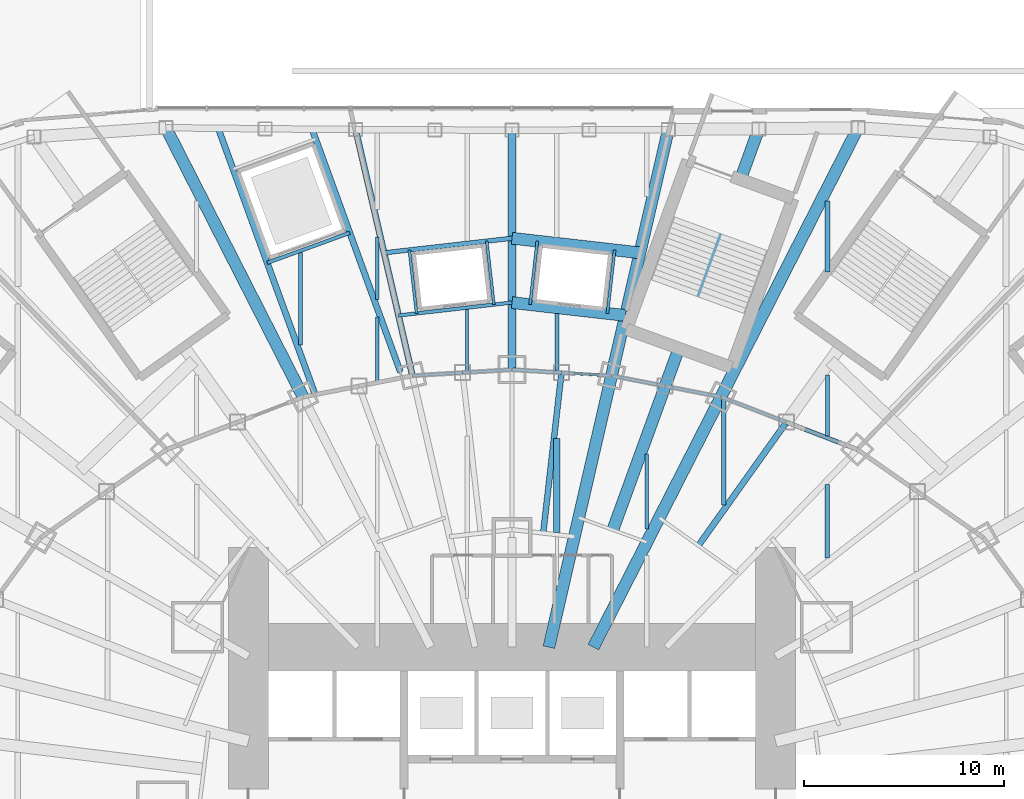
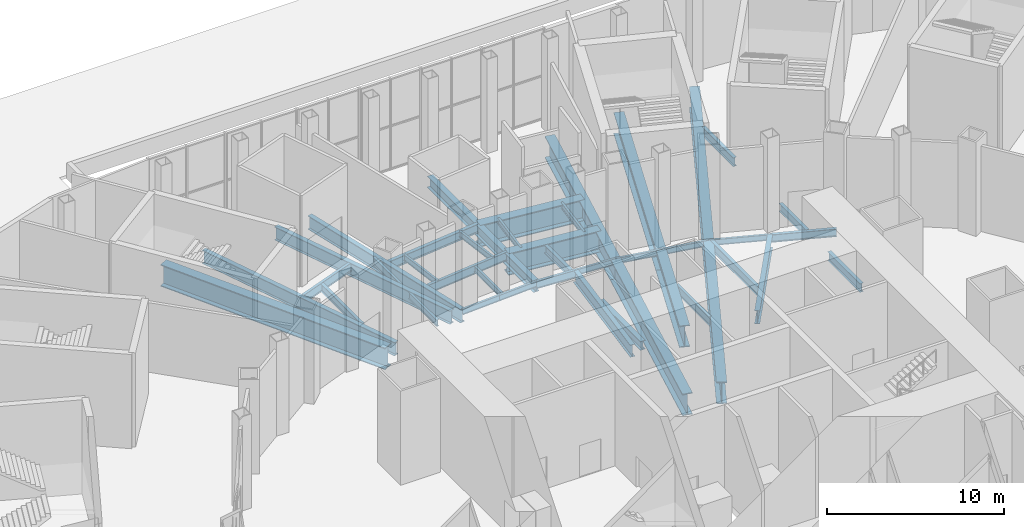
# One storey, part 7 of 47: 41 beams.
"""IFC4 building model written with IfcOpenShell, lengths in metres."""

import ifcopenshell
import ifcopenshell.guid

model = None  # the IFC model being written
_history = None  # IfcOwnerHistory: only IFC2X3 demands one
_inside = {}  # id of a spatial element -> (the spatial element, [elements in it])
_under = {}  # id of a project, library or spatial element -> (it, [spatial elements below it])
_declared = {}  # id of a project -> (the project, [libraries it declares])
_typed = {}  # id of a type object -> (the type object, [elements of that type])
_made_of = {}  # id of a material, layer set ... -> (it, [elements and type objects made of it])


def new_model(schema):
    """Start an empty IFC model of exactly this schema.

    Asked for "IFC4X3", IfcOpenShell would pick the latest addendum, in which some entities
    have other attributes; the version numbers below select the first issue.
    IFC2X3 requires an IfcOwnerHistory on every rooted entity: one is made here for all.
    """
    global model, _history
    if schema == "IFC4X3":
        model = ifcopenshell.file(schema_version=(4, 3, 0, 0))
    else:
        model = ifcopenshell.file(schema=schema)
    _inside.clear()
    _under.clear()
    _declared.clear()
    _typed.clear()
    _made_of.clear()
    _history = None
    if model.schema == "IFC2X3":
        org = make("IfcOrganization", Name="unknown")
        user = make(
            "IfcPersonAndOrganization",
            ThePerson=make("IfcPerson", FamilyName="unknown"),
            TheOrganization=org,
        )
        app = make(
            "IfcApplication",
            ApplicationDeveloper=org,
            Version="unknown",
            ApplicationFullName="unknown",
            ApplicationIdentifier="unknown",
        )
        _history = make(
            "IfcOwnerHistory",
            OwningUser=user,
            OwningApplication=app,
            ChangeAction="ADDED",
            CreationDate=0,
        )
    return model


def make(cls, **values):
    """One entity of the class cls with the attributes given. An attribute that is None is left unset."""
    return model.create_entity(
        cls, **{name: value for name, value in values.items() if value is not None}
    )


def rooted(cls, **values):
    """An entity with a GlobalId (a new one), such as an element, a storey or a relation."""
    return make(cls, GlobalId=ifcopenshell.guid.new(), OwnerHistory=_history, **values)


def si_unit(unit_type, name, prefix=None):
    """IfcSIUnit, for example si_unit("LENGTHUNIT", "METRE", prefix="MILLI")."""
    return make("IfcSIUnit", UnitType=unit_type, Prefix=prefix, Name=name)


def assignment(units):
    """IfcUnitAssignment: the units of a project."""
    return None if units is None else make("IfcUnitAssignment", Units=units)


def point(xyz):
    """IfcCartesianPoint."""
    return None if xyz is None else make("IfcCartesianPoint", Coordinates=xyz)


def direction(xyz):
    """IfcDirection."""
    return None if xyz is None else make("IfcDirection", DirectionRatios=xyz)


def frame(location, z_axis=None, x_axis=None):
    """IfcAxis2Placement3D, a coordinate frame: its origin and axes. An axis left out is left unset."""
    return make(
        "IfcAxis2Placement3D",
        Location=point(location),
        Axis=direction(z_axis),
        RefDirection=direction(x_axis),
    )


def frame_2d(location, x_axis=None):
    """IfcAxis2Placement2D, a coordinate frame in the plane: its origin and x axis."""
    return make(
        "IfcAxis2Placement2D", Location=point(location), RefDirection=direction(x_axis)
    )


def origin():
    """The frame at (0, 0, 0) with its axes left unset."""
    return frame((0.0, 0.0, 0.0))


def origin_2d():
    """The frame at (0, 0) in the plane with its x axis left unset."""
    return frame_2d((0.0, 0.0))


def place(relative_to, where):
    """IfcLocalPlacement: puts the frame where relative to a parent placement (None: the world)."""
    return make(
        "IfcLocalPlacement", PlacementRelTo=relative_to, RelativePlacement=where
    )


def context(
    kind, dimensions, precision=None, world=None, true_north=None, identifier=None
):
    """IfcGeometricRepresentationContext, for example the 3D "Model" context."""
    return make(
        "IfcGeometricRepresentationContext",
        ContextIdentifier=identifier,
        ContextType=kind,
        CoordinateSpaceDimension=dimensions,
        Precision=precision,
        WorldCoordinateSystem=world,
        TrueNorth=true_north,
    )


def subcontext(parent, identifier, kind, view, scale=None):
    """IfcGeometricRepresentationSubContext, for example "Body" below "Model"."""
    return make(
        "IfcGeometricRepresentationSubContext",
        ContextIdentifier=identifier,
        ContextType=kind,
        ParentContext=parent,
        TargetScale=scale,
        TargetView=view,
    )


def project(units=None, contexts=None):
    """IfcProject with its units and contexts."""
    return rooted(
        "IfcProject",
        Name="project",
        RepresentationContexts=contexts,
        UnitsInContext=assignment(units),
    )


def spatial(cls, under=None, at=None, **own):
    """A site, building, storey or space (cls), placed at a placement, below another one or the project."""
    s = rooted(cls, ObjectPlacement=at, **own)
    if under is not None:
        _under.setdefault(under.id(), (under, []))[1].append(s)
    return s


def profile(cls, at=None, kind="AREA", **sizes):
    """A parametric profile (cls). Its sizes go by their IFC names, for example OverallWidth=200.0."""
    return make(cls, ProfileType=kind, Position=at, **sizes)


def i_section(**sizes):
    """IfcIShapeProfileDef."""
    return profile("IfcIShapeProfileDef", **sizes)


def extrude(swept, where, along, depth):
    """IfcExtrudedAreaSolid: the profile swept, set in the frame where, extruded along a direction by depth."""
    return make(
        "IfcExtrudedAreaSolid",
        SweptArea=swept,
        Position=where,
        ExtrudedDirection=direction(along),
        Depth=depth,
    )


def shape(context_of_items, identifier, shape_type, items):
    """IfcShapeRepresentation: the items that make up one representation, for example the "Body"."""
    return make(
        "IfcShapeRepresentation",
        ContextOfItems=context_of_items,
        RepresentationIdentifier=identifier,
        RepresentationType=shape_type,
        Items=items,
    )


def material(Name=None, Category=None):
    """IfcMaterial."""
    return make("IfcMaterial", Name=Name, Category=Category)


def material_profile(
    of_material, cross_section, Name=None, Category=None, Priority=None
):
    """IfcMaterialProfile: a cross section and its material."""
    return make(
        "IfcMaterialProfile",
        Name=Name,
        Material=of_material,
        Profile=cross_section,
        Priority=Priority,
        Category=Category,
    )


def profile_set(profiles, Name=None, composite=None):
    """IfcMaterialProfileSet."""
    return make(
        "IfcMaterialProfileSet",
        Name=Name,
        MaterialProfiles=profiles,
        CompositeProfile=composite,
    )


def made_of(thing, what):
    """Note that an element or type object is made of a material, layer set ...; save() writes the relation."""
    if what is not None:
        _made_of.setdefault(what.id(), (what, []))[1].append(thing)
    return thing


def type_object(cls, material=None, **own):
    """A type object (cls), such as IfcWallType, which elements share."""
    return made_of(rooted(cls, **own), material)


def element(
    cls,
    number,
    at=None,
    inside=None,
    cuts=None,
    type_object=None,
    material=None,
    context=None,
    identifier="Body",
    shape_type=None,
    held_by="IfcProductDefinitionShape",
    body=None,
    shapes=None,
    **own,
):
    """One element of the class cls, such as IfcWall. Its Tag is "e" and its number.

    at: its placement. inside: the storey or other place that contains it. cuts: it is an
    opening in that element (IfcRelVoidsElement). A single representation is given by context,
    identifier, shape_type and body (its items); several are given by shapes. held_by: the class
    of the entity that holds the representations. save() writes the other relations.
    """
    e = rooted(cls, Tag="e%d" % number, ObjectPlacement=at, **own)
    if body is not None:
        shapes = [shape(context, identifier, shape_type, body)]
    if shapes is not None:
        e.Representation = make(held_by, Representations=shapes)
    if inside is not None:
        _inside.setdefault(inside.id(), (inside, []))[1].append(e)
    if cuts is not None:
        rooted(
            "IfcRelVoidsElement", RelatingBuildingElement=cuts, RelatedOpeningElement=e
        )
    if type_object is not None:
        _typed.setdefault(type_object.id(), (type_object, []))[1].append(e)
    return made_of(e, material)


def aggregate(whole, parts):
    """IfcRelAggregates: a whole, such as a stair, and the parts it consists of."""
    return rooted("IfcRelAggregates", RelatingObject=whole, RelatedObjects=parts)


def save(model, path):
    """Write the relations noted so far, then the file.

    IfcRelAggregates (storeys below a building ...), IfcRelContainedInSpatialStructure (elements
    in a storey), IfcRelDefinesByType, IfcRelAssociatesMaterial and IfcRelDeclares: one each for
    every whole, place, type object, material and project.
    """
    for whole, parts in _under.values():
        aggregate(whole, parts)
    for where, things in _inside.values():
        rooted(
            "IfcRelContainedInSpatialStructure",
            RelatedElements=things,
            RelatingStructure=where,
        )
    for kind, things in _typed.values():
        rooted("IfcRelDefinesByType", RelatedObjects=things, RelatingType=kind)
    for what, things in _made_of.values():
        rooted("IfcRelAssociatesMaterial", RelatedObjects=things, RelatingMaterial=what)
    for by, libraries in _declared.values():
        rooted("IfcRelDeclares", RelatingContext=by, RelatedDefinitions=libraries)
    model.write(path)


model = new_model("IFC4")

# Units and contexts
model_context = context("Model", 3, precision=1e-05, world=origin(), true_north=direction((0.0, 1.0)))
body_context = subcontext(model_context, "Body", "Model", "MODEL_VIEW")
ifc_project = project(units=[si_unit("LENGTHUNIT", "METRE"), si_unit("AREAUNIT", "SQUARE_METRE"), si_unit("VOLUMEUNIT", "CUBIC_METRE"), si_unit("PLANEANGLEUNIT", "RADIAN"), si_unit("MASSUNIT", "GRAM", prefix="KILO")], contexts=[model_context])

# Site, building, storey
site_placement = place(None, origin())
site = spatial("IfcSite", under=ifc_project, at=site_placement, CompositionType="ELEMENT")
building_placement = place(site_placement, origin())
building = spatial("IfcBuilding", under=site, at=building_placement, Name="Lantaw Convention Tower", CompositionType="ELEMENT")
storey_placement = place(building_placement, origin())
storey = spatial("IfcBuildingStorey", under=building, at=storey_placement, Name="L00", CompositionType="ELEMENT", Elevation=0.0)

# Beams
ifc_material_1 = material(Name="Steel ASTM A992", Category="steel")
ifc_material_profile_1 = material_profile(ifc_material_1, i_section(OverallWidth=0.140380859375, OverallDepth=0.40380859375, WebThickness=0.007080078125, FlangeThickness=0.01123046875, FilletRadius=0.01025390625, at=origin_2d()), Name="W16X31")
ifc_profile_set_1 = profile_set([ifc_material_profile_1], Name="Steel ASTM A992")
beam_type_1 = type_object("IfcBeamType", Name="Beam E W16X31", PredefinedType="SPANDREL", material=ifc_profile_set_1)
beam_1_placement = place(storey_placement, frame((13.745361328125, 19.270263671875, -0.65185546875), z_axis=(-0.933241815012, 0.359248820058, 0.0), x_axis=(-0.359248820058, -0.933241815012, 0.0)))
element("IfcBeam", 1, at=beam_1_placement, inside=storey, type_object=beam_type_1, Name="Edge beam 4", PredefinedType="SPANDREL", context=body_context, shape_type="SweptSolid", body=[
    extrude(i_section(OverallWidth=0.140380859375, OverallDepth=0.40380859375, WebThickness=0.007080078125, FlangeThickness=0.01123046875, FilletRadius=0.01025390625, at=origin_2d()), origin(), (0.0, 0.0, 1.0), 3.517578125),
])
beam_2_placement = place(storey_placement, frame((10.462646484375, 20.533935546875, -0.65185546875), z_axis=(-0.98163593748, 0.190763954266, 0.0), x_axis=(-0.190763954266, -0.98163593748, 0.0)))
element("IfcBeam", 2, at=beam_2_placement, inside=storey, type_object=beam_type_1, Name="Edge beam 5", PredefinedType="SPANDREL", context=body_context, shape_type="SweptSolid", body=[
    extrude(i_section(OverallWidth=0.140380859375, OverallDepth=0.40380859375, WebThickness=0.007080078125, FlangeThickness=0.01123046875, FilletRadius=0.01025390625, at=origin_2d()), origin(), (0.0, 0.0, 1.0), 2.84375),
])
beam_3_placement = place(storey_placement, frame((7.671142578125, 21.076416015625, -0.65185546875), z_axis=(-0.981637218105, 0.190757364289, 0.0), x_axis=(-0.190757364289, -0.981637218105, 0.0)))
element("IfcBeam", 3, at=beam_3_placement, inside=storey, type_object=beam_type_1, Name="Edge beam 5", PredefinedType="SPANDREL", context=body_context, shape_type="SweptSolid", body=[
    extrude(i_section(OverallWidth=0.140380859375, OverallDepth=0.40380859375, WebThickness=0.007080078125, FlangeThickness=0.01123046875, FilletRadius=0.01025390625, at=origin_2d()), origin(), (0.0, 0.0, 1.0), 2.735107421875),
])
beam_4_placement = place(storey_placement, frame((4.986328125, 21.59814453125, -0.65185546875), z_axis=(-0.998172405641, 0.060430527186, 0.0), x_axis=(-0.060430527186, -0.998172405641, 0.0)))
element("IfcBeam", 4, at=beam_4_placement, inside=storey, type_object=beam_type_1, Name="Edge beam 6", PredefinedType="SPANDREL", context=body_context, shape_type="SweptSolid", body=[
    extrude(i_section(OverallWidth=0.140380859375, OverallDepth=0.40380859375, WebThickness=0.007080078125, FlangeThickness=0.01123046875, FilletRadius=0.01025390625, at=origin_2d()), origin(), (0.0, 0.0, 1.0), 2.512939453125),
])
beam_5_placement = place(storey_placement, frame((0.0, 21.89990234375, -0.65185546875), z_axis=(-0.998175328335, -0.060382231685, 0.0), x_axis=(0.060382231685, -0.998175328335, 0.0)))
element("IfcBeam", 5, at=beam_5_placement, inside=storey, type_object=beam_type_1, Name="Edge beam 7", PredefinedType="SPANDREL", context=body_context, shape_type="SweptSolid", body=[
    extrude(i_section(OverallWidth=0.140380859375, OverallDepth=0.40380859375, WebThickness=0.007080078125, FlangeThickness=0.01123046875, FilletRadius=0.01025390625, at=origin_2d()), origin(), (0.0, 0.0, 1.0), 2.482666015625),
])
beam_6_placement = place(storey_placement, frame((-2.47802734375, 21.75, -0.65185546875), z_axis=(-0.998172405641, -0.060430527186, 0.0), x_axis=(0.060430527186, -0.998172405641, 0.0)))
element("IfcBeam", 6, at=beam_6_placement, inside=storey, type_object=beam_type_1, Name="Edge beam 7", PredefinedType="SPANDREL", context=body_context, shape_type="SweptSolid", body=[
    extrude(i_section(OverallWidth=0.140380859375, OverallDepth=0.40380859375, WebThickness=0.007080078125, FlangeThickness=0.01123046875, FilletRadius=0.01025390625, at=origin_2d()), origin(), (0.0, 0.0, 1.0), 2.512939453125),
])
ifc_material_profile_2 = material_profile(ifc_material_1, i_section(OverallWidth=0.165771484375, OverallDepth=0.5283203125, WebThickness=0.009765625, FlangeThickness=0.013671875, FilletRadius=0.012939453125, at=origin_2d()), Name="W21X50")
ifc_profile_set_2 = profile_set([ifc_material_profile_2], Name="Steel ASTM A992")
beam_type_2 = type_object("IfcBeamType", Name="Beam E W21X50", PredefinedType="SPANDREL", material=ifc_profile_set_2)
beam_7_placement = place(storey_placement, frame((2.47802734375, 21.75, -0.714111328125), z_axis=(-0.998175328335, 0.060382231685, 0.0), x_axis=(-0.060382231685, -0.998175328335, 0.0)))
element("IfcBeam", 7, at=beam_7_placement, inside=storey, type_object=beam_type_2, Name="Edge beam 6", PredefinedType="SPANDREL", context=body_context, shape_type="SweptSolid", body=[
    extrude(i_section(OverallWidth=0.165771484375, OverallDepth=0.5283203125, WebThickness=0.009765625, FlangeThickness=0.013671875, FilletRadius=0.012939453125, at=origin_2d()), origin(), (0.0, 0.0, 1.0), 2.482666015625),
])
ifc_material_profile_3 = material_profile(ifc_material_1, i_section(OverallWidth=0.2099609375, OverallDepth=0.535888671875, WebThickness=0.010986328125, FlangeThickness=0.017333984375, FilletRadius=0.012939453125, at=origin_2d()), Name="W21X68")
ifc_profile_set_3 = profile_set([ifc_material_profile_3], Name="Steel ASTM A992")
beam_type_3 = type_object("IfcBeamType", Name="Beam E W21X68", PredefinedType="SPANDREL", material=ifc_profile_set_3)
beam_8_placement = place(storey_placement, frame((17.290771484375, 17.9052734375, -0.718017578125), z_axis=(-0.933224646415, 0.359293416754, 0.0), x_axis=(-0.359293416754, -0.933224646415, 0.0)))
element("IfcBeam", 8, at=beam_8_placement, inside=storey, type_object=beam_type_3, Name="Edge beam 4", PredefinedType="SPANDREL", context=body_context, shape_type="SweptSolid", body=[
    extrude(i_section(OverallWidth=0.2099609375, OverallDepth=0.535888671875, WebThickness=0.010986328125, FlangeThickness=0.017333984375, FilletRadius=0.012939453125, at=origin_2d()), origin(), (0.0, 0.0, 1.0), 3.799072265625),
])
ifc_material_2 = material(Name="Steel ASTM A572 Grade 50", Category="steel")
ifc_material_profile_4 = material_profile(ifc_material_2, i_section(OverallWidth=0.60009765625, OverallDepth=1.5, WebThickness=0.02490234375, FlangeThickness=0.06005859375, at=origin_2d()), Name="PG1500X600X25X60")
ifc_profile_set_4 = profile_set([ifc_material_profile_4], Name="Steel ASTM A572 Grade 50")
beam_type_4 = type_object("IfcBeamType", Name="Beam G PG1500X600X25X60", PredefinedType="BEAM", material=ifc_profile_set_4)
beam_9_placement = place(storey_placement, frame((4.076171875, 8.0, -1.199951171875), z_axis=(0.453997016122, 0.891003203896, 0.0), x_axis=(-0.891003203896, 0.453997016122, 0.0)))
element("IfcBeam", 9, at=beam_9_placement, inside=storey, type_object=beam_type_4, Name="Floor girder on ray 5", PredefinedType="BEAM", context=body_context, shape_type="SweptSolid", body=[
    extrude(i_section(OverallWidth=0.60009765625, OverallDepth=1.5, WebThickness=0.02490234375, FlangeThickness=0.06005859375, at=origin_2d()), origin(), (0.0, 0.0, 1.0), 14.067138671875),
])
beam_10_placement = place(storey_placement, frame((5.04931640625, 13.873046875, -1.199951171875), z_axis=(0.342021781151, 0.939692024664, 0.0), x_axis=(-0.939692024664, 0.342021781151, 0.0)))
element("IfcBeam", 10, at=beam_10_placement, inside=storey, type_object=beam_type_4, Name="Floor girder on bisector 5", PredefinedType="BEAM", context=body_context, shape_type="SweptSolid", body=[
    extrude(i_section(OverallWidth=0.60009765625, OverallDepth=1.5, WebThickness=0.02490234375, FlangeThickness=0.06005859375, at=origin_2d()), origin(), (0.0, 0.0, 1.0), 7.665771484375),
])
beam_11_placement = place(storey_placement, frame((1.846923828125, 8.0, -1.199951171875), z_axis=(0.224952773175, 0.97436966796, 0.0), x_axis=(-0.97436966796, 0.224952773175, 0.0)))
element("IfcBeam", 11, at=beam_11_placement, inside=storey, type_object=beam_type_4, Name="Floor girder on ray 6", PredefinedType="BEAM", context=body_context, shape_type="SweptSolid", body=[
    extrude(i_section(OverallWidth=0.60009765625, OverallDepth=1.5, WebThickness=0.02490234375, FlangeThickness=0.06005859375, at=origin_2d()), origin(), (0.0, 0.0, 1.0), 13.955810546875),
])
ifc_material_profile_5 = material_profile(ifc_material_1, i_section(OverallWidth=0.2919921875, OverallDepth=0.845703125, WebThickness=0.015380859375, FlangeThickness=0.0244140625, FilletRadius=0.01513671875, at=origin_2d()), Name="W33X141")
ifc_profile_set_5 = profile_set([ifc_material_profile_5], Name="Steel ASTM A992")
beam_type_5 = type_object("IfcBeamType", Name="Beam G W33X141", PredefinedType="BEAM", material=ifc_profile_set_5)
beam_12_placement = place(storey_placement, frame((1.5625, 13.713134765625, -0.872802734375), z_axis=(0.113183957156, 0.993574049501, 0.0), x_axis=(-0.993574049501, 0.113183957156, 0.0)))
element("IfcBeam", 12, at=beam_12_placement, inside=storey, type_object=beam_type_5, Name="Floor girder on bisector 6", PredefinedType="BEAM", context=body_context, shape_type="SweptSolid", body=[
    extrude(i_section(OverallWidth=0.2919921875, OverallDepth=0.845703125, WebThickness=0.015380859375, FlangeThickness=0.0244140625, FilletRadius=0.01513671875, at=origin_2d()), origin(), (0.0, 0.0, 1.0), 8.0888671875),
])
ifc_material_profile_6 = material_profile(ifc_material_1, i_section(OverallWidth=0.307373046875, OverallDepth=0.922119140625, WebThickness=0.018310546875, FlangeThickness=0.030029296875, FilletRadius=0.0126953125, at=origin_2d()), Name="W36X182")
ifc_profile_set_6 = profile_set([ifc_material_profile_6], Name="Steel ASTM A992")
beam_type_6 = type_object("IfcBeamType", Name="Beam G W36X182", PredefinedType="BEAM", material=ifc_profile_set_6)
beam_13_placement = place(storey_placement, frame((9.335693359375, 13.088134765625, -0.910888671875), z_axis=(0.580702805158, 0.814115625745, 0.0), x_axis=(-0.814115625745, 0.580702805158, 0.0)))
element("IfcBeam", 13, at=beam_13_placement, inside=storey, type_object=beam_type_6, Name="Floor girder on bisector 4", PredefinedType="BEAM", context=body_context, shape_type="SweptSolid", body=[
    extrude(i_section(OverallWidth=0.307373046875, OverallDepth=0.922119140625, WebThickness=0.018310546875, FlangeThickness=0.030029296875, FilletRadius=0.0126953125, at=origin_2d()), origin(), (0.0, 0.0, 1.0), 7.59375),
])
ifc_material_profile_7 = material_profile(ifc_material_1, i_section(OverallWidth=0.140380859375, OverallDepth=0.40380859375, WebThickness=0.007080078125, FlangeThickness=0.01123046875, FilletRadius=0.01025390625, at=origin_2d()), Name="W16X31")
ifc_profile_set_7 = profile_set([ifc_material_profile_7], Name="Steel ASTM A992")
beam_type_7 = type_object("IfcBeamType", Name="Beam J W16X31", PredefinedType="JOIST", material=ifc_profile_set_7)
beam_14_placement = place(storey_placement, frame((-2.25, 21.833984375, -0.65185546875), z_axis=(0.0, 1.0, 0.0), x_axis=(-1.0, 0.0, 0.0)))
element("IfcBeam", 14, at=beam_14_placement, inside=storey, type_object=beam_type_7, Name="Floor joist", PredefinedType="JOIST", context=body_context, shape_type="SweptSolid", body=[
    extrude(i_section(OverallWidth=0.140380859375, OverallDepth=0.40380859375, WebThickness=0.007080078125, FlangeThickness=0.01123046875, FilletRadius=0.01025390625, at=origin_2d()), origin(), (0.0, 0.0, 1.0), 3.08251953125),
])
ifc_material_profile_8 = material_profile(ifc_material_1, i_section(OverallWidth=0.15234375, OverallDepth=0.449462890625, WebThickness=0.007568359375, FlangeThickness=0.0107421875, FilletRadius=0.01025390625, at=origin_2d()), Name="W18X35")
ifc_profile_set_8 = profile_set([ifc_material_profile_8], Name="Steel ASTM A992")
beam_type_8 = type_object("IfcBeamType", Name="Beam J W18X35", PredefinedType="JOIST", material=ifc_profile_set_8)
beam_15_placement = place(storey_placement, frame((-6.75, 21.33935546875, -0.6748046875), z_axis=(0.0, 1.0, 0.0), x_axis=(-1.0, 0.0, 0.0)))
element("IfcBeam", 15, at=beam_15_placement, inside=storey, type_object=beam_type_8, Name="Floor joist", PredefinedType="JOIST", context=body_context, shape_type="SweptSolid", body=[
    extrude(i_section(OverallWidth=0.15234375, OverallDepth=0.449462890625, WebThickness=0.007568359375, FlangeThickness=0.0107421875, FilletRadius=0.01025390625, at=origin_2d()), origin(), (0.0, 0.0, 1.0), 3.189208984375),
])
ifc_material_profile_9 = material_profile(ifc_material_1, i_section(OverallWidth=0.1650390625, OverallDepth=0.52587890625, WebThickness=0.0087890625, FlangeThickness=0.011474609375, FilletRadius=0.0126953125, at=origin_2d()), Name="W21X44")
ifc_profile_set_9 = profile_set([ifc_material_profile_9], Name="Steel ASTM A992")
beam_type_9 = type_object("IfcBeamType", Name="Beam J W21X44", PredefinedType="JOIST", material=ifc_profile_set_9)
beam_16_placement = place(storey_placement, frame((-6.75, 25.42724609375, -0.712890625), z_axis=(0.0, 1.0, 0.0), x_axis=(-1.0, 0.0, 0.0)))
element("IfcBeam", 16, at=beam_16_placement, inside=storey, type_object=beam_type_9, Name="Floor joist", PredefinedType="JOIST", context=body_context, shape_type="SweptSolid", body=[
    extrude(i_section(OverallWidth=0.1650390625, OverallDepth=0.52587890625, WebThickness=0.0087890625, FlangeThickness=0.011474609375, FilletRadius=0.0126953125, at=origin_2d()), origin(), (0.0, 0.0, 1.0), 3.127197265625),
])
ifc_material_profile_10 = material_profile(ifc_material_1, i_section(OverallWidth=0.2099609375, OverallDepth=0.535888671875, WebThickness=0.010986328125, FlangeThickness=0.017333984375, FilletRadius=0.012939453125, at=origin_2d()), Name="W21X68")
ifc_profile_set_10 = profile_set([ifc_material_profile_10], Name="Steel ASTM A992")
beam_type_10 = type_object("IfcBeamType", Name="Beam J W21X68", PredefinedType="JOIST", material=ifc_profile_set_10)
beam_17_placement = place(storey_placement, frame((-10.60009765625, 23.14013671875, -0.718017578125), z_axis=(0.0, 1.0, 0.0), x_axis=(-1.0, 0.0, 0.0)))
element("IfcBeam", 17, at=beam_17_placement, inside=storey, type_object=beam_type_10, Name="Floor joist", PredefinedType="JOIST", context=body_context, shape_type="SweptSolid", body=[
    extrude(i_section(OverallWidth=0.2099609375, OverallDepth=0.535888671875, WebThickness=0.010986328125, FlangeThickness=0.017333984375, FilletRadius=0.012939453125, at=origin_2d()), origin(), (0.0, 0.0, 1.0), 4.61962890625),
])
beam_18_placement = place(storey_placement, frame((2.25, 21.846923828125, -0.718017578125), z_axis=(0.0, 1.0, 0.0), x_axis=(-1.0, 0.0, 0.0)))
element("IfcBeam", 18, at=beam_18_placement, inside=storey, type_object=beam_type_10, Name="Floor joist", PredefinedType="JOIST", context=body_context, shape_type="SweptSolid", body=[
    extrude(i_section(OverallWidth=0.2099609375, OverallDepth=0.535888671875, WebThickness=0.010986328125, FlangeThickness=0.017333984375, FilletRadius=0.012939453125, at=origin_2d()), origin(), (0.0, 0.0, 1.0), 2.857177734375),
])
beam_19_placement = place(storey_placement, frame((15.800048828125, 18.591552734375, -0.718017578125), z_axis=(0.0, 1.0, 0.0), x_axis=(-1.0, 0.0, 0.0)))
element("IfcBeam", 19, at=beam_19_placement, inside=storey, type_object=beam_type_10, Name="Floor joist", PredefinedType="JOIST", context=body_context, shape_type="SweptSolid", body=[
    extrude(i_section(OverallWidth=0.2099609375, OverallDepth=0.535888671875, WebThickness=0.010986328125, FlangeThickness=0.017333984375, FilletRadius=0.012939453125, at=origin_2d()), origin(), (0.0, 0.0, 1.0), 3.042724609375),
])
ifc_material_profile_11 = material_profile(ifc_material_1, i_section(OverallWidth=0.3251953125, OverallDepth=0.612060546875, WebThickness=0.0126953125, FlangeThickness=0.01904296875, FilletRadius=0.0126953125, at=origin_2d()), Name="W24X104")
ifc_profile_set_11 = profile_set([ifc_material_profile_11], Name="Steel ASTM A992")
beam_type_11 = type_object("IfcBeamType", Name="Beam J W24X104", PredefinedType="JOIST", material=ifc_profile_set_11)
beam_20_placement = place(storey_placement, frame((2.25, 13.740478515625, -0.756103515625), z_axis=(0.0, 1.0, 0.0), x_axis=(-1.0, 0.0, 0.0)))
element("IfcBeam", 20, at=beam_20_placement, inside=storey, type_object=beam_type_11, Name="Floor joist", PredefinedType="JOIST", context=body_context, shape_type="SweptSolid", body=[
    extrude(i_section(OverallWidth=0.3251953125, OverallDepth=0.612060546875, WebThickness=0.0126953125, FlangeThickness=0.01904296875, FilletRadius=0.0126953125, at=origin_2d()), origin(), (0.0, 0.0, 1.0), 4.71728515625),
])
ifc_material_profile_12 = material_profile(ifc_material_1, i_section(OverallWidth=0.177978515625, OverallDepth=0.599365234375, WebThickness=0.010009765625, FlangeThickness=0.012939453125, FilletRadius=0.012939453125, at=origin_2d()), Name="W24X55")
ifc_profile_set_12 = profile_set([ifc_material_profile_12], Name="Steel ASTM A992")
beam_type_12 = type_object("IfcBeamType", Name="Beam J W24X55", PredefinedType="JOIST", material=ifc_profile_set_12)
beam_21_placement = place(storey_placement, frame((6.75, 13.914794921875, -0.749755859375), z_axis=(0.0, 1.0, 0.0), x_axis=(-1.0, 0.0, 0.0)))
element("IfcBeam", 21, at=beam_21_placement, inside=storey, type_object=beam_type_12, Name="Floor joist", PredefinedType="JOIST", context=body_context, shape_type="SweptSolid", body=[
    extrude(i_section(OverallWidth=0.177978515625, OverallDepth=0.599365234375, WebThickness=0.010009765625, FlangeThickness=0.012939453125, FilletRadius=0.012939453125, at=origin_2d()), origin(), (0.0, 0.0, 1.0), 3.75341796875),
])
ifc_material_profile_13 = material_profile(ifc_material_1, i_section(OverallWidth=0.227783203125, OverallDepth=0.60205078125, WebThickness=0.010498046875, FlangeThickness=0.014892578125, FilletRadius=0.012939453125, at=origin_2d()), Name="W24X68")
ifc_profile_set_13 = profile_set([ifc_material_profile_13], Name="Steel ASTM A992")
beam_type_13 = type_object("IfcBeamType", Name="Beam J W24X68", PredefinedType="JOIST", material=ifc_profile_set_13)
beam_22_placement = place(storey_placement, frame((10.60009765625, 15.125244140625, -0.7509765625), z_axis=(0.0, 1.0, 0.0), x_axis=(-1.0, 0.0, 0.0)))
element("IfcBeam", 22, at=beam_22_placement, inside=storey, type_object=beam_type_13, Name="Floor joist", PredefinedType="JOIST", context=body_context, shape_type="SweptSolid", body=[
    extrude(i_section(OverallWidth=0.227783203125, OverallDepth=0.60205078125, WebThickness=0.010498046875, FlangeThickness=0.014892578125, FilletRadius=0.012939453125, at=origin_2d()), origin(), (0.0, 0.0, 1.0), 5.280517578125),
])
beam_23_placement = place(storey_placement, frame((15.800048828125, 12.472900390625, -0.7509765625), z_axis=(0.0, 1.0, 0.0), x_axis=(-1.0, 0.0, 0.0)))
element("IfcBeam", 23, at=beam_23_placement, inside=storey, type_object=beam_type_13, Name="Floor joist", PredefinedType="JOIST", context=body_context, shape_type="SweptSolid", body=[
    extrude(i_section(OverallWidth=0.227783203125, OverallDepth=0.60205078125, WebThickness=0.010498046875, FlangeThickness=0.014892578125, FilletRadius=0.012939453125, at=origin_2d()), origin(), (0.0, 0.0, 1.0), 3.667236328125),
])
ifc_material_profile_14 = material_profile(ifc_material_1, i_section(OverallWidth=0.22900390625, OverallDepth=0.612060546875, WebThickness=0.011962890625, FlangeThickness=0.01953125, FilletRadius=0.0126953125, at=origin_2d()), Name="W24X84")
ifc_profile_set_14 = profile_set([ifc_material_profile_14], Name="Steel ASTM A992")
beam_type_14 = type_object("IfcBeamType", Name="Beam J W24X84", PredefinedType="JOIST", material=ifc_profile_set_14)
beam_24_placement = place(storey_placement, frame((15.800048828125, 26.80029296875, -0.756103515625), z_axis=(0.0, 1.0, 0.0), x_axis=(-1.0, 0.0, 0.0)))
element("IfcBeam", 24, at=beam_24_placement, inside=storey, type_object=beam_type_14, Name="Floor joist", PredefinedType="JOIST", context=body_context, shape_type="SweptSolid", body=[
    extrude(i_section(OverallWidth=0.22900390625, OverallDepth=0.612060546875, WebThickness=0.011962890625, FlangeThickness=0.01953125, FilletRadius=0.0126953125, at=origin_2d()), origin(), (0.0, 0.0, 1.0), 3.548095703125),
])
ifc_material_profile_15 = material_profile(ifc_material_2, i_section(OverallWidth=0.60009765625, OverallDepth=1.5, WebThickness=0.02490234375, FlangeThickness=0.06005859375, at=origin_2d()), Name="PG1500X600X25X60")
ifc_profile_set_15 = profile_set([ifc_material_profile_15], Name="Steel ASTM A572 Grade 50")
beam_type_15 = type_object("IfcBeamType", Name="Beam PG PG1500X600X25X60", PredefinedType="BEAM", material=ifc_profile_set_15)
beam_25_placement = place(storey_placement, frame((10.462646484375, 20.533935546875, -1.199951171875), z_axis=(0.453988364005, 0.891007612396, 0.0), x_axis=(-0.891007612396, 0.453988364005, 0.0)))
element("IfcBeam", 25, at=beam_25_placement, inside=storey, type_object=beam_type_15, Name="Podium girder PR05", PredefinedType="BEAM", context=body_context, shape_type="SweptSolid", body=[
    extrude(i_section(OverallWidth=0.60009765625, OverallDepth=1.5, WebThickness=0.02490234375, FlangeThickness=0.06005859375, at=origin_2d()), origin(), (0.0, 0.0, 1.0), 15.135498046875),
])
beam_26_placement = place(storey_placement, frame((4.986328125, 21.59814453125, -1.199951171875), z_axis=(0.224955319834, 0.974369080009, 0.0), x_axis=(-0.974369080009, 0.224955319834, 0.0)))
element("IfcBeam", 26, at=beam_26_placement, inside=storey, type_object=beam_type_15, Name="Podium girder PR06", PredefinedType="BEAM", context=body_context, shape_type="SweptSolid", body=[
    extrude(i_section(OverallWidth=0.60009765625, OverallDepth=1.5, WebThickness=0.02490234375, FlangeThickness=0.06005859375, at=origin_2d()), origin(), (0.0, 0.0, 1.0), 12.654541015625),
])
beam_27_placement = place(storey_placement, frame((-10.462646484375, 20.533935546875, -1.199951171875), z_axis=(-0.453988364005, 0.891007612396, 0.0), x_axis=(-0.891007612396, -0.453988364005, 0.0)))
element("IfcBeam", 27, at=beam_27_placement, inside=storey, type_object=beam_type_15, Name="Podium girder PR09", PredefinedType="BEAM", context=body_context, shape_type="SweptSolid", body=[
    extrude(i_section(OverallWidth=0.60009765625, OverallDepth=1.5, WebThickness=0.02490234375, FlangeThickness=0.06005859375, at=origin_2d()), origin(), (0.0, 0.0, 1.0), 15.135498046875),
])
beam_28_placement = place(storey_placement, frame((7.671142578125, 21.076416015625, -1.199951171875), z_axis=(0.342027428416, 0.939689969198, 0.0), x_axis=(-0.939689969198, 0.342027428416, 0.0)))
element("IfcBeam", 28, at=beam_28_placement, inside=storey, type_object=beam_type_15, Name="Podium girder PB05", PredefinedType="BEAM", context=body_context, shape_type="SweptSolid", body=[
    extrude(i_section(OverallWidth=0.60009765625, OverallDepth=1.5, WebThickness=0.02490234375, FlangeThickness=0.06005859375, at=origin_2d()), origin(), (0.0, 0.0, 1.0), 13.71728515625),
])
ifc_material_profile_16 = material_profile(ifc_material_1, i_section(OverallWidth=0.381103515625, OverallDepth=0.772216796875, WebThickness=0.0166015625, FlangeThickness=0.027099609375, FilletRadius=0.0146484375, at=origin_2d()), Name="W30X173")
ifc_profile_set_16 = profile_set([ifc_material_profile_16], Name="Steel ASTM A992")
beam_type_16 = type_object("IfcBeamType", Name="Beam PG W30X173", PredefinedType="BEAM", material=ifc_profile_set_16)
beam_29_placement = place(storey_placement, frame((0.0, 21.89990234375, -0.836181640625), z_axis=(0.0, 1.0, 0.0), x_axis=(-1.0, 0.0, 0.0)))
element("IfcBeam", 29, at=beam_29_placement, inside=storey, type_object=beam_type_16, Name="Podium girder PR07", PredefinedType="BEAM", context=body_context, shape_type="SweptSolid", body=[
    extrude(i_section(OverallWidth=0.381103515625, OverallDepth=0.772216796875, WebThickness=0.0166015625, FlangeThickness=0.027099609375, FilletRadius=0.0146484375, at=origin_2d()), origin(), (0.0, 0.0, 1.0), 12.0),
])
ifc_material_profile_17 = material_profile(ifc_material_1, i_section(OverallWidth=0.307373046875, OverallDepth=0.9423828125, WebThickness=0.022216796875, FlangeThickness=0.039794921875, FilletRadius=0.0126953125, at=origin_2d()), Name="W36X232")
ifc_profile_set_17 = profile_set([ifc_material_profile_17], Name="Steel ASTM A992")
beam_type_17 = type_object("IfcBeamType", Name="Beam PG W36X232", PredefinedType="BEAM", material=ifc_profile_set_17)
beam_30_placement = place(storey_placement, frame((-4.986328125, 21.59814453125, -0.921142578125), z_axis=(-0.224955319834, 0.974369080009, 0.0), x_axis=(-0.974369080009, -0.224955319834, 0.0)))
element("IfcBeam", 30, at=beam_30_placement, inside=storey, type_object=beam_type_17, Name="Podium girder PR08", PredefinedType="BEAM", context=body_context, shape_type="SweptSolid", body=[
    extrude(i_section(OverallWidth=0.307373046875, OverallDepth=0.9423828125, WebThickness=0.022216796875, FlangeThickness=0.039794921875, FilletRadius=0.0126953125, at=origin_2d()), origin(), (0.0, 0.0, 1.0), 12.654541015625),
])
ifc_material_profile_18 = material_profile(ifc_material_2, i_section(OverallWidth=0.60009765625, OverallDepth=1.5, WebThickness=0.02490234375, FlangeThickness=0.06005859375, at=origin_2d()), Name="PG1500X600X25X60")
ifc_profile_set_18 = profile_set([ifc_material_profile_18], Name="Steel ASTM A572 Grade 50")
beam_type_18 = type_object("IfcBeamType", Name="Beam TR PG1500X600X25X60", PredefinedType="BEAM", material=ifc_profile_set_18)
beam_31_placement = place(storey_placement, frame((5.682861328125, 24.614990234375, -1.199951171875), z_axis=(-0.99357223569, 0.11319987838, 0.0), x_axis=(-0.11319987838, -0.99357223569, 0.0)))
element("IfcBeam", 31, at=beam_31_placement, inside=storey, type_object=beam_type_18, Name="Opening trimmer beam", PredefinedType="BEAM", context=body_context, shape_type="SweptSolid", body=[
    extrude(i_section(OverallWidth=0.60009765625, OverallDepth=1.5, WebThickness=0.02490234375, FlangeThickness=0.06005859375, at=origin_2d()), origin(), (0.0, 0.0, 1.0), 5.7197265625),
])
beam_32_placement = place(storey_placement, frame((0.0, 28.483154296875, -1.199951171875), z_axis=(0.993572392644, -0.113198500762, 0.0), x_axis=(0.113198500762, 0.993572392644, 0.0)))
element("IfcBeam", 32, at=beam_32_placement, inside=storey, type_object=beam_type_18, Name="Opening trimmer beam", PredefinedType="BEAM", context=body_context, shape_type="SweptSolid", body=[
    extrude(i_section(OverallWidth=0.60009765625, OverallDepth=1.5, WebThickness=0.02490234375, FlangeThickness=0.06005859375, at=origin_2d()), origin(), (0.0, 0.0, 1.0), 6.44873046875),
])
ifc_material_profile_19 = material_profile(ifc_material_1, i_section(OverallWidth=0.140380859375, OverallDepth=0.40380859375, WebThickness=0.007080078125, FlangeThickness=0.01123046875, FilletRadius=0.01025390625, at=origin_2d()), Name="W16X31")
ifc_profile_set_19 = profile_set([ifc_material_profile_19], Name="Steel ASTM A992")
beam_type_19 = type_object("IfcBeamType", Name="Beam TR W16X31", PredefinedType="BEAM", material=ifc_profile_set_19)
beam_33_placement = place(storey_placement, frame((0.904052734375, 25.159423828125, -0.65185546875), z_axis=(0.113144208648, 0.993578576686, 0.0), x_axis=(-0.993578576686, 0.113144208648, 0.0)))
element("IfcBeam", 33, at=beam_33_placement, inside=storey, type_object=beam_type_19, Name="Opening header beam", PredefinedType="BEAM", context=body_context, shape_type="SweptSolid", body=[
    extrude(i_section(OverallWidth=0.140380859375, OverallDepth=0.40380859375, WebThickness=0.007080078125, FlangeThickness=0.01123046875, FilletRadius=0.01025390625, at=origin_2d()), origin(), (0.0, 0.0, 1.0), 3.199951171875),
])
for number, where, z_axis, x_axis, name in (
    (34, (5.14111328125, 27.897216796875, -0.65185546875), (-0.11322810814, -0.993569019005, 0.0), (0.993569019005, -0.11322810814, 0.0), "Opening header beam"),
    (35, (-4.77880859375, 24.718017578125, -0.65185546875), (-0.11322810814, 0.993569019005, 0.0), (-0.993569019005, -0.11322810814, 0.0), "Opening header beam"),
):
    element("IfcBeam", number, at=place(storey_placement, frame(where, z_axis=z_axis, x_axis=x_axis)), inside=storey, type_object=beam_type_19, Name=name, PredefinedType="BEAM", context=body_context, shape_type="SweptSolid", body=[
        extrude(i_section(OverallWidth=0.140380859375, OverallDepth=0.40380859375, WebThickness=0.007080078125, FlangeThickness=0.01123046875, FilletRadius=0.01025390625, at=origin_2d()), origin(), (0.0, 0.0, 1.0), 3.19970703125),
    ])
beam_34_placement = place(storey_placement, frame((-1.26611328125, 28.3388671875, -0.65185546875), z_axis=(0.113144208648, -0.993578576686, 0.0), x_axis=(0.993578576686, 0.113144208648, 0.0)))
element("IfcBeam", 36, at=beam_34_placement, inside=storey, type_object=beam_type_19, Name="Opening header beam", PredefinedType="BEAM", context=body_context, shape_type="SweptSolid", body=[
    extrude(i_section(OverallWidth=0.140380859375, OverallDepth=0.40380859375, WebThickness=0.007080078125, FlangeThickness=0.01123046875, FilletRadius=0.01025390625, at=origin_2d()), origin(), (0.0, 0.0, 1.0), 3.199951171875),
])
ifc_material_profile_20 = material_profile(ifc_material_1, i_section(OverallWidth=0.177978515625, OverallDepth=0.599365234375, WebThickness=0.010009765625, FlangeThickness=0.012939453125, FilletRadius=0.012939453125, at=origin_2d()), Name="W24X55")
ifc_profile_set_20 = profile_set([ifc_material_profile_20], Name="Steel ASTM A992")
beam_type_20 = type_object("IfcBeamType", Name="Beam TR W24X55", PredefinedType="BEAM", material=ifc_profile_set_20)
beam_35_placement = place(storey_placement, frame((0.0, 25.262451171875, -0.749755859375), z_axis=(-0.99357223569, -0.11319987838, 0.0), x_axis=(0.11319987838, -0.99357223569, 0.0)))
element("IfcBeam", 37, at=beam_35_placement, inside=storey, type_object=beam_type_20, Name="Opening trimmer beam", PredefinedType="BEAM", context=body_context, shape_type="SweptSolid", body=[
    extrude(i_section(OverallWidth=0.177978515625, OverallDepth=0.599365234375, WebThickness=0.010009765625, FlangeThickness=0.012939453125, FilletRadius=0.012939453125, at=origin_2d()), origin(), (0.0, 0.0, 1.0), 5.7197265625),
])
beam_36_placement = place(storey_placement, frame((-8.124755859375, 28.75537109375, -0.749755859375), z_axis=(-0.939696185245, -0.342010349897, 0.0), x_axis=(0.342010349897, -0.939696185245, 0.0)))
element("IfcBeam", 38, at=beam_36_placement, inside=storey, type_object=beam_type_20, Name="Opening header beam", PredefinedType="BEAM", context=body_context, shape_type="SweptSolid", body=[
    extrude(i_section(OverallWidth=0.177978515625, OverallDepth=0.599365234375, WebThickness=0.010009765625, FlangeThickness=0.012939453125, FilletRadius=0.012939453125, at=origin_2d()), origin(), (0.0, 0.0, 1.0), 4.400146484375),
])
ifc_material_profile_21 = material_profile(ifc_material_1, i_section(OverallWidth=0.22900390625, OverallDepth=0.612060546875, WebThickness=0.011962890625, FlangeThickness=0.01953125, FilletRadius=0.0126953125, at=origin_2d()), Name="W24X84")
ifc_profile_set_21 = profile_set([ifc_material_profile_21], Name="Steel ASTM A992")
beam_type_21 = type_object("IfcBeamType", Name="Beam TR W24X84", PredefinedType="BEAM", material=ifc_profile_set_21)
beam_37_placement = place(storey_placement, frame((-6.4072265625, 27.753173828125, -0.756103515625), z_axis=(0.993572392644, 0.113198500762, 0.0), x_axis=(-0.113198500762, 0.993572392644, 0.0)))
element("IfcBeam", 39, at=beam_37_placement, inside=storey, type_object=beam_type_21, Name="Opening trimmer beam", PredefinedType="BEAM", context=body_context, shape_type="SweptSolid", body=[
    extrude(i_section(OverallWidth=0.22900390625, OverallDepth=0.612060546875, WebThickness=0.011962890625, FlangeThickness=0.01953125, FilletRadius=0.0126953125, at=origin_2d()), origin(), (0.0, 0.0, 1.0), 6.44873046875),
])
ifc_material_profile_22 = material_profile(ifc_material_1, i_section(OverallWidth=0.307373046875, OverallDepth=0.922119140625, WebThickness=0.018310546875, FlangeThickness=0.030029296875, FilletRadius=0.0126953125, at=origin_2d()), Name="W36X182")
ifc_profile_set_22 = profile_set([ifc_material_profile_22], Name="Steel ASTM A992")
beam_type_22 = type_object("IfcBeamType", Name="Beam TR W36X182", PredefinedType="BEAM", material=ifc_profile_set_22)
beam_38_placement = place(storey_placement, frame((-9.857666015625, 20.6513671875, -0.910888671875), z_axis=(-0.342019208794, 0.939692960927, 0.0), x_axis=(-0.939692960927, -0.342019208794, 0.0)))
element("IfcBeam", 40, at=beam_38_placement, inside=storey, type_object=beam_type_22, Name="Opening trimmer beam", PredefinedType="BEAM", context=body_context, shape_type="SweptSolid", body=[
    extrude(i_section(OverallWidth=0.307373046875, OverallDepth=0.922119140625, WebThickness=0.018310546875, FlangeThickness=0.030029296875, FilletRadius=0.0126953125, at=origin_2d()), origin(), (0.0, 0.0, 1.0), 14.196533203125),
])
beam_39_placement = place(storey_placement, frame((-10.014404296875, 33.946533203125, -0.910888671875), z_axis=(0.342030721623, -0.939688770533, 0.0), x_axis=(0.939688770533, 0.342030721623, 0.0)))
element("IfcBeam", 41, at=beam_39_placement, inside=storey, type_object=beam_type_22, Name="Opening trimmer beam", PredefinedType="BEAM", context=body_context, shape_type="SweptSolid", body=[
    extrude(i_section(OverallWidth=0.307373046875, OverallDepth=0.922119140625, WebThickness=0.018310546875, FlangeThickness=0.030029296875, FilletRadius=0.0126953125, at=origin_2d()), origin(), (0.0, 0.0, 1.0), 12.94677734375),
])

save(model, "model.ifc")
